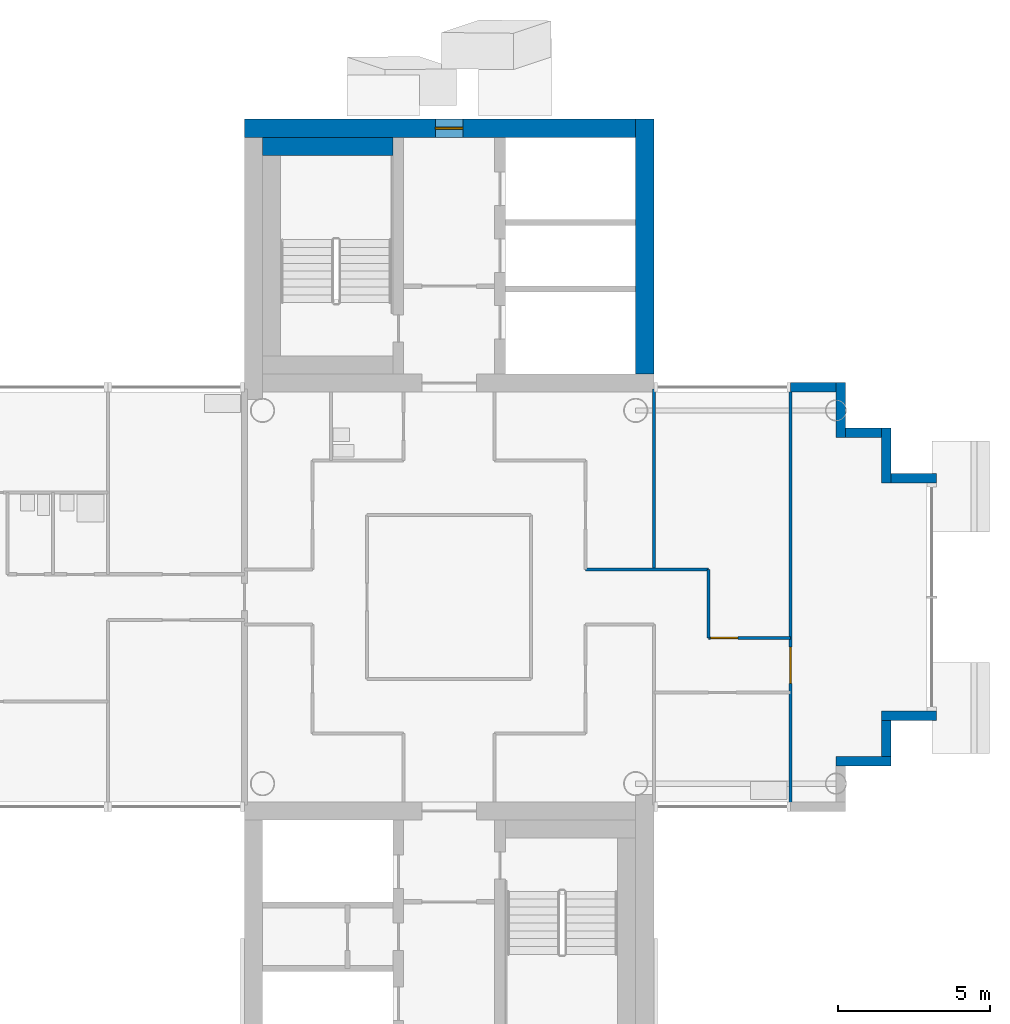
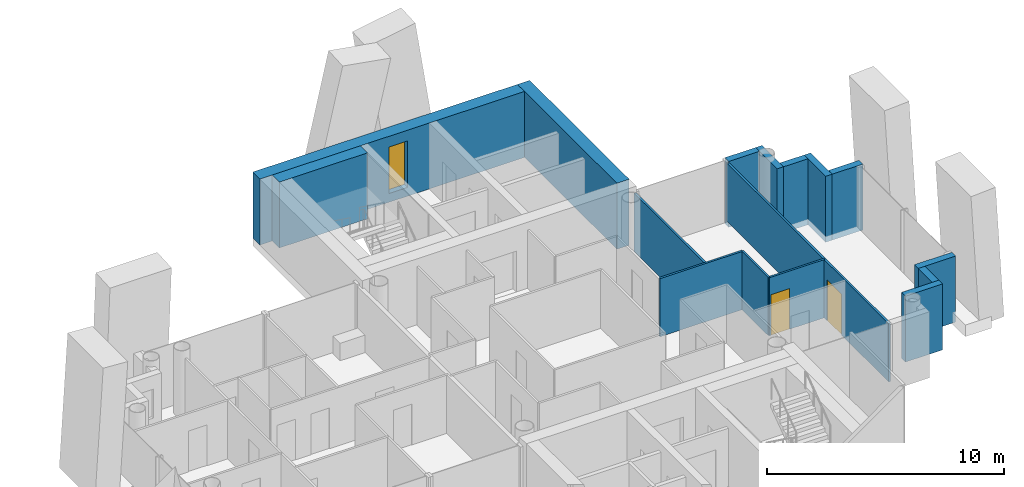
# One storey, part 11 of 18: 16 walls, 2 doors, 1 window, 3 openings.
"""IFC4 building model written with IfcOpenShell, lengths in metres."""

from ifc_helpers import new_model, si_unit, direction, frame, frame_2d, origin, place, context, subcontext, project, spatial, rectangle, extrude, material, layer, layer_set, type_object, element, fill, save


model = new_model("IFC4")

# Units and contexts
model_context = context("Model", 3, precision=1e-05, world=origin(), true_north=direction((0.0, 1.0)))
body_context = subcontext(model_context, "Body", "Model", "MODEL_VIEW")
ifc_project = project(units=[si_unit("LENGTHUNIT", "METRE"), si_unit("AREAUNIT", "SQUARE_METRE"), si_unit("VOLUMEUNIT", "CUBIC_METRE"), si_unit("PLANEANGLEUNIT", "RADIAN"), si_unit("MASSUNIT", "GRAM", prefix="KILO")], contexts=[model_context])

# Site, building, storey
site_placement = place(None, origin())
site = spatial("IfcSite", under=ifc_project, at=site_placement, CompositionType="ELEMENT")
building_placement = place(site_placement, origin())
building = spatial("IfcBuilding", under=site, at=building_placement, Name="Ipe Terrace Towers", CompositionType="ELEMENT")
storey_placement = place(building_placement, frame((0.0, 0.0, 196.0)))
storey = spatial("IfcBuildingStorey", under=building, at=storey_placement, Name="L54", CompositionType="ELEMENT", Elevation=196.0)

# Walls
ifc_material_1 = material(Name="Concrete C40/50 with buff precast cladding", Category="concrete")
ifc_layer_1 = layer(ifc_material_1, 0.320068359375)
ifc_layer_set_1 = layer_set([ifc_layer_1], Name="BUFF CLADDING WALL 320")
wall_type_1 = type_object("IfcWallType", Name="BUFF CLADDING WALL 320", PredefinedType="STANDARD", material=ifc_layer_set_1)
wall_1_placement = place(storey_placement, frame((48.75, -5.409912109375, -0.300048828125), z_axis=(0.0, 0.0, 1.0), x_axis=(1.0, 0.0, 0.0)))
element("IfcWall", 1, at=wall_1_placement, inside=storey, type_object=wall_type_1, Name="T2-W-L54-05a wall", PredefinedType="STANDARD", context=body_context, shape_type="SweptSolid", body=[
    extrude(rectangle(XDim=1.820068359375, YDim=0.320068359375, at=frame_2d((0.91015625, 0.0))), origin(), (0.0, 0.0, 1.0), 3.400146484375),
])
wall_2_placement = place(storey_placement, frame((50.409912109375, -5.25, -0.300048828125), z_axis=(0.0, 0.0, 1.0), x_axis=(0.0, 1.0, 0.0)))
element("IfcWall", 2, at=wall_2_placement, inside=storey, type_object=wall_type_1, Name="T2-W-L54-06a wall", PredefinedType="STANDARD", context=body_context, shape_type="SweptSolid", body=[
    extrude(rectangle(XDim=1.179931640625, YDim=0.320068359375, at=frame_2d((0.58984375, 0.0))), origin(), (0.0, 0.0, 1.0), 3.400146484375),
])
wall_3_placement = place(storey_placement, frame((50.25, -3.909912109375, -0.300048828125), z_axis=(0.0, 0.0, 1.0), x_axis=(1.0, 0.0, 0.0)))
element("IfcWall", 3, at=wall_3_placement, inside=storey, type_object=wall_type_1, Name="T2-W-L54-07a wall", PredefinedType="STANDARD", context=body_context, shape_type="SweptSolid", body=[
    extrude(rectangle(XDim=1.820068359375, YDim=0.320068359375, at=frame_2d((0.91015625, 0.0))), origin(), (0.0, 0.0, 1.0), 3.400146484375),
])
wall_4_placement = place(storey_placement, frame((52.070068359375, 3.909912109375, -0.300048828125), z_axis=(0.0, 0.0, 1.0), x_axis=(-1.0, 0.0, 0.0)))
element("IfcWall", 4, at=wall_4_placement, inside=storey, type_object=wall_type_1, Name="T2-W-L54-09a wall", PredefinedType="STANDARD", context=body_context, shape_type="SweptSolid", body=[
    extrude(rectangle(XDim=1.5, YDim=0.320068359375, at=frame_2d((0.75, 0.0))), origin(), (0.0, 0.0, 1.0), 3.400146484375),
])
wall_5_placement = place(storey_placement, frame((50.409912109375, 3.75, -0.300048828125), z_axis=(0.0, 0.0, 1.0), x_axis=(0.0, 1.0, 0.0)))
element("IfcWall", 5, at=wall_5_placement, inside=storey, type_object=wall_type_1, Name="T2-W-L54-10a wall", PredefinedType="STANDARD", context=body_context, shape_type="SweptSolid", body=[
    extrude(rectangle(XDim=1.820068359375, YDim=0.320068359375, at=frame_2d((0.91015625, 0.0))), origin(), (0.0, 0.0, 1.0), 3.400146484375),
])
wall_6_placement = place(storey_placement, frame((50.25, 5.409912109375, -0.300048828125), z_axis=(0.0, 0.0, 1.0), x_axis=(-1.0, 0.0, 0.0)))
element("IfcWall", 6, at=wall_6_placement, inside=storey, type_object=wall_type_1, Name="T2-W-L54-11a wall", PredefinedType="STANDARD", context=body_context, shape_type="SweptSolid", body=[
    extrude(rectangle(XDim=1.179931640625, YDim=0.320068359375, at=frame_2d((0.58984375, 0.0))), origin(), (0.0, 0.0, 1.0), 3.400146484375),
])
wall_7_placement = place(storey_placement, frame((48.909912109375, 5.25, -0.300048828125), z_axis=(0.0, 0.0, 1.0), x_axis=(0.0, 1.0, 0.0)))
element("IfcWall", 7, at=wall_7_placement, inside=storey, type_object=wall_type_1, Name="T2-W-L54-12a wall", PredefinedType="STANDARD", context=body_context, shape_type="SweptSolid", body=[
    extrude(rectangle(XDim=1.820068359375, YDim=0.320068359375, at=frame_2d((0.91015625, 0.0))), origin(), (0.0, 0.0, 1.0), 3.400146484375),
])
wall_8_placement = place(storey_placement, frame((48.75, 6.909912109375, -0.300048828125), z_axis=(0.0, 0.0, 1.0), x_axis=(-1.0, 0.0, 0.0)))
element("IfcWall", 8, at=wall_8_placement, inside=storey, type_object=wall_type_1, Name="T2-W-L54-13a wall", PredefinedType="STANDARD", context=body_context, shape_type="SweptSolid", body=[
    extrude(rectangle(XDim=1.5, YDim=0.320068359375, at=frame_2d((0.75, 0.0))), origin(), (0.0, 0.0, 1.0), 3.400146484375),
])

# Wall, opening, door
ifc_material_2 = material(Name="Gypsum board partition", Category="plasterboard")
ifc_layer_2 = layer(ifc_material_2, 0.10009765625)
ifc_layer_set_2 = layer_set([ifc_layer_2], Name="Gypsum board partition 100 mm")
wall_type_2 = type_object("IfcWallType", Name="Gypsum board partition 100 mm", PredefinedType="PARTITIONING", material=ifc_layer_set_2)
wall_9_placement = place(storey_placement, frame((47.25, -1.35009765625, 0.0), z_axis=(0.0, 0.0, 1.0), x_axis=(-1.0, 0.0, 0.0)))
wall_9 = element("IfcWall", 9, at=wall_9_placement, inside=storey, type_object=wall_type_2, Name="Gypsum board partition T2 L54 W07", PredefinedType="PARTITIONING", context=body_context, shape_type="SweptSolid", body=[
    extrude(rectangle(XDim=2.699951171875, YDim=0.10009765625, at=frame_2d((1.35009765625, 0.0))), origin(), (0.0, 0.0, 1.0), 3.0),
])
opening_1_placement = place(wall_9_placement, frame((1.72998046875, 0.0, 0.0)))
opening_1 = element("IfcOpeningElement", 10, at=opening_1_placement, cuts=wall_9, Name="Opening T2-Z4D-17", PredefinedType="OPENING", context=body_context, shape_type="SweptSolid", body=[
    extrude(rectangle(XDim=0.89990234375, YDim=2.10009765625, at=frame_2d((0.449951171875, 1.050048828125))), frame((0.0, 0.06005859375, 0.0), z_axis=(0.0, -1.0, 0.0), x_axis=(1.0, 0.0, 0.0)), (0.0, 0.0, 1.0), 0.1201171875),
])
ifc_material_3 = material(Name="Timber door leaf", Category="wood")
door_type_1 = type_object("IfcDoorType", Name="Lounge door 900 x 2100", OperationType="NOTDEFINED", PredefinedType="DOOR", material=ifc_material_3)
door_1_placement = place(opening_1_placement, origin())
door_1 = element("IfcDoor", 11, at=door_1_placement, inside=storey, type_object=door_type_1, Name="Lounge door T2-Z4D-17", OperationType="SINGLE_SWING_RIGHT", OverallHeight=2.10009765625, OverallWidth=0.89990234375, PredefinedType="DOOR", context=body_context, shape_type="SweptSolid", body=[
    extrude(rectangle(XDim=0.89990234375, YDim=2.10009765625, at=frame_2d((0.449951171875, 1.050048828125))), frame((0.0, 0.02490234375, 0.0), z_axis=(0.0, -1.0, 0.0), x_axis=(1.0, 0.0, 0.0)), (0.0, 0.0, 1.0), 0.050048828125),
])
fill(opening_1, door_1)

# Wall
wall_10_placement = place(storey_placement, frame((44.550048828125, 0.89990234375, 0.0), z_axis=(0.0, 0.0, 1.0), x_axis=(-1.0, 0.0, 0.0)))
element("IfcWall", 12, at=wall_10_placement, inside=storey, type_object=wall_type_2, Name="Gypsum board partition T2 L54 W12", PredefinedType="PARTITIONING", context=body_context, shape_type="SweptSolid", body=[
    extrude(rectangle(XDim=4.050048828125, YDim=0.10009765625, at=frame_2d((2.02490234375, 0.0))), origin(), (0.0, 0.0, 1.0), 3.0),
])

# Wall, opening, door
wall_11_placement = place(storey_placement, frame((47.25, -6.85009765625, 0.0), z_axis=(0.0, 0.0, 1.0), x_axis=(0.0, 1.0, 0.0)))
wall_11 = element("IfcWall", 13, at=wall_11_placement, inside=storey, type_object=wall_type_2, Name="Gypsum board partition T2 L54 W19", PredefinedType="PARTITIONING", context=body_context, shape_type="SweptSolid", body=[
    extrude(rectangle(XDim=13.7001953125, YDim=0.10009765625, at=frame_2d((6.85009765625, 0.0))), origin(), (0.0, 0.0, 1.0), 3.0),
])
opening_2_placement = place(wall_11_placement, frame((4.0, 0.0, 0.0)))
opening_2 = element("IfcOpeningElement", 14, at=opening_2_placement, cuts=wall_11, Name="Opening T2-Z4D-19", PredefinedType="OPENING", context=body_context, shape_type="SweptSolid", body=[
    extrude(rectangle(XDim=1.199951171875, YDim=2.10009765625, at=frame_2d((0.60009765625, 1.050048828125))), frame((0.0, 0.06005859375, 0.0), z_axis=(0.0, -1.0, 0.0), x_axis=(1.0, 0.0, 0.0)), (0.0, 0.0, 1.0), 0.1201171875),
])
ifc_material_4 = material(Name="Timber door leaf", Category="wood")
door_type_2 = type_object("IfcDoorType", Name="Lounge door 1200 x 2100", OperationType="NOTDEFINED", PredefinedType="DOOR", material=ifc_material_4)
door_2_placement = place(opening_2_placement, origin())
door_2 = element("IfcDoor", 15, at=door_2_placement, inside=storey, type_object=door_type_2, Name="Lounge door T2-Z4D-19", OperationType="SINGLE_SWING_LEFT", OverallHeight=2.10009765625, OverallWidth=1.199951171875, PredefinedType="DOOR", context=body_context, shape_type="SweptSolid", body=[
    extrude(rectangle(XDim=1.199951171875, YDim=2.10009765625, at=frame_2d((0.60009765625, 1.050048828125))), frame((0.0, 0.02490234375, 0.0), z_axis=(0.0, -1.0, 0.0), x_axis=(1.0, 0.0, 0.0)), (0.0, 0.0, 1.0), 0.050048828125),
])
fill(opening_2, door_2)

# Walls
wall_12_placement = place(storey_placement, frame((44.550048828125, -1.35009765625, 0.0), z_axis=(0.0, 0.0, 1.0), x_axis=(0.0, 1.0, 0.0)))
element("IfcWall", 16, at=wall_12_placement, inside=storey, type_object=wall_type_2, Name="Gypsum board partition T2 L54 W20", PredefinedType="PARTITIONING", context=body_context, shape_type="SweptSolid", body=[
    extrude(rectangle(XDim=2.25, YDim=0.10009765625, at=frame_2d((1.125, 0.0))), origin(), (0.0, 0.0, 1.0), 3.0),
])
wall_13_placement = place(storey_placement, frame((42.75, 0.89990234375, 0.0), z_axis=(0.0, 0.0, 1.0), x_axis=(0.0, 1.0, 0.0)))
element("IfcWall", 17, at=wall_13_placement, inside=storey, type_object=wall_type_2, Name="Gypsum board partition T2 L54 W22", PredefinedType="PARTITIONING", context=body_context, shape_type="SweptSolid", body=[
    extrude(rectangle(XDim=5.9501953125, YDim=0.10009765625, at=frame_2d((2.97509765625, 0.0))), origin(), (0.0, 0.0, 1.0), 3.0),
])
ifc_material_5 = material(Name="Concrete C40/50", Category="concrete")
ifc_layer_3 = layer(ifc_material_5, 0.60009765625)
ifc_layer_set_3 = layer_set([ifc_layer_3], Name="RW600 CORE INFILL WALL 600 C40-50")
wall_type_3 = type_object("IfcWallType", Name="RW600 CORE INFILL WALL 600 C40-50", PredefinedType="SHEAR", material=ifc_layer_set_3)
wall_14_placement = place(storey_placement, frame((34.14990234375, 14.85009765625, 0.0), z_axis=(0.0, 0.0, 1.0), x_axis=(-1.0, 0.0, 0.0)))
element("IfcWall", 18, at=wall_14_placement, inside=storey, type_object=wall_type_3, Name="Core infill wall T2-C1-far", PredefinedType="SHEAR", context=body_context, shape_type="SweptSolid", body=[
    extrude(rectangle(XDim=4.2998046875, YDim=0.60009765625, at=frame_2d((2.14990234375, 0.0))), origin(), (0.0, 0.0, 1.0), 3.39990234375),
])
ifc_material_6 = material(Name="Concrete C40/50", Category="concrete")
ifc_layer_4 = layer(ifc_material_6, 0.60009765625)
ifc_layer_set_4 = layer_set([ifc_layer_4], Name="RW600 CORE WALL 600 C40-50")
wall_type_4 = type_object("IfcWallType", Name="RW600 CORE WALL 600 C40-50", PredefinedType="SHEAR", material=ifc_layer_set_4)
wall_15_placement = place(storey_placement, frame((42.449951171875, 7.35009765625, 0.0), z_axis=(0.0, 0.0, 1.0), x_axis=(0.0, 1.0, 0.0)))
element("IfcWall", 19, at=wall_15_placement, inside=storey, type_object=wall_type_4, Name="Core wall T2-C1-Z4-W02", PredefinedType="SHEAR", context=body_context, shape_type="SweptSolid", body=[
    extrude(rectangle(XDim=8.39990234375, YDim=0.60009765625, at=frame_2d((4.199951171875, 0.0))), origin(), (0.0, 0.0, 1.0), 3.39990234375),
])

# Wall, opening, window
wall_16_placement = place(storey_placement, frame((42.14990234375, 15.449951171875, 0.0), z_axis=(0.0, 0.0, 1.0), x_axis=(-1.0, 0.0, 0.0)))
wall_16 = element("IfcWall", 20, at=wall_16_placement, inside=storey, type_object=wall_type_4, Name="Core wall T2-C1-Z4-W03", PredefinedType="SHEAR", context=body_context, shape_type="SweptSolid", body=[
    extrude(rectangle(XDim=12.89990234375, YDim=0.60009765625, at=frame_2d((6.449951171875, 0.0))), origin(), (0.0, 0.0, 1.0), 3.39990234375),
])
opening_3_placement = place(wall_16_placement, frame((5.699951171875, 0.0, 0.449951171875)))
opening_3 = element("IfcOpeningElement", 21, at=opening_3_placement, cuts=wall_16, Name="Opening T2-C1-W-01-L54", PredefinedType="OPENING", context=body_context, shape_type="SweptSolid", body=[
    extrude(rectangle(XDim=0.89990234375, YDim=2.39990234375, at=frame_2d((0.449951171875, 1.199951171875))), frame((0.0, 0.31005859375, 0.0), z_axis=(0.0, -1.0, 0.0), x_axis=(1.0, 0.0, 0.0)), (0.0, 0.0, 1.0), 0.6201171875),
])
ifc_material_7 = material(Name="Fire-resistant glazing EI 60", Category="glass")
window_type = type_object("IfcWindowType", Name="CORRIDOR END SLOT WINDOW 900 x 2400 EI 60", PartitioningType="SINGLE_PANEL", PredefinedType="WINDOW", material=ifc_material_7)
window_placement = place(opening_3_placement, origin())
window = element("IfcWindow", 22, at=window_placement, inside=storey, type_object=window_type, Name="W-01 window", OverallHeight=2.39990234375, OverallWidth=0.89990234375, PartitioningType="SINGLE_PANEL", PredefinedType="WINDOW", context=body_context, shape_type="SweptSolid", body=[
    extrude(rectangle(XDim=0.89990234375, YDim=2.39990234375, at=frame_2d((0.449951171875, 1.199951171875))), frame((0.0, 0.030029296875, 0.0), z_axis=(0.0, -1.0, 0.0), x_axis=(1.0, 0.0, 0.0)), (0.0, 0.0, 1.0), 0.06005859375),
])
fill(opening_3, window)

save(model, "model.ifc")
